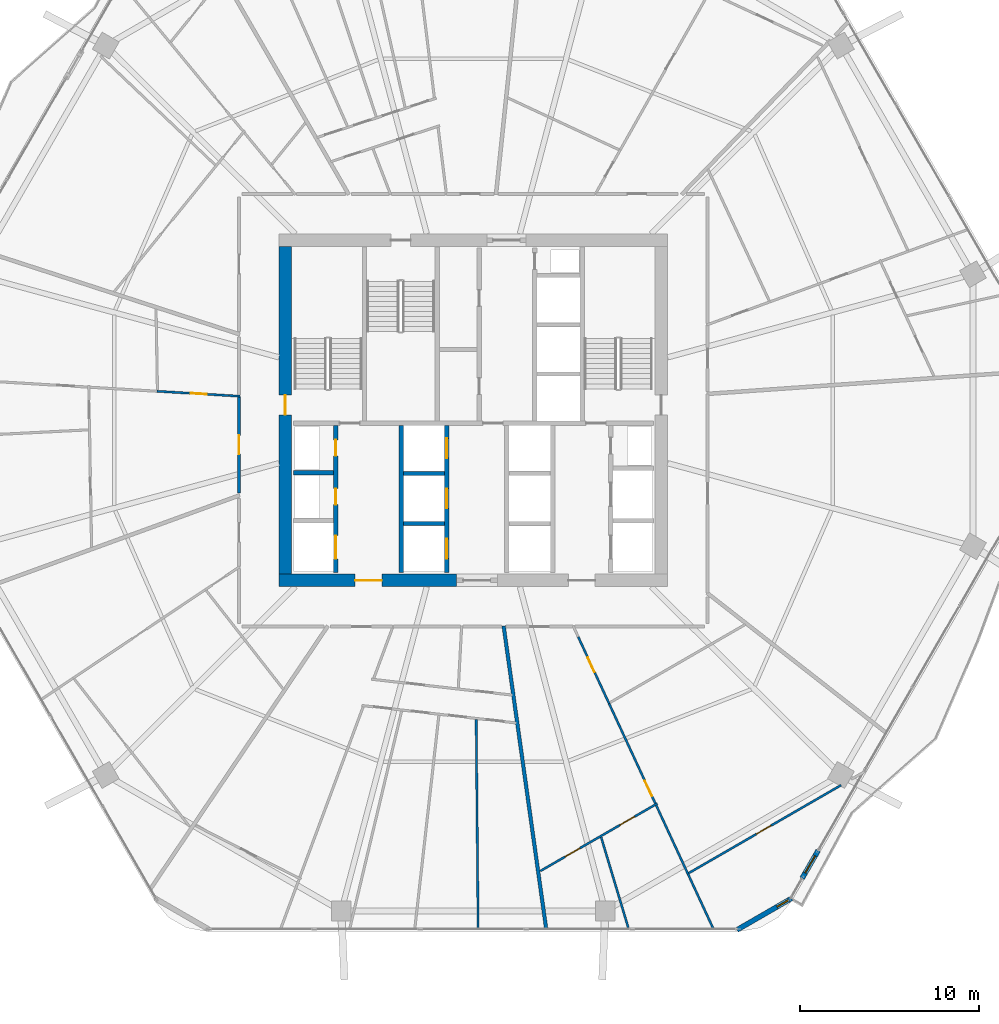
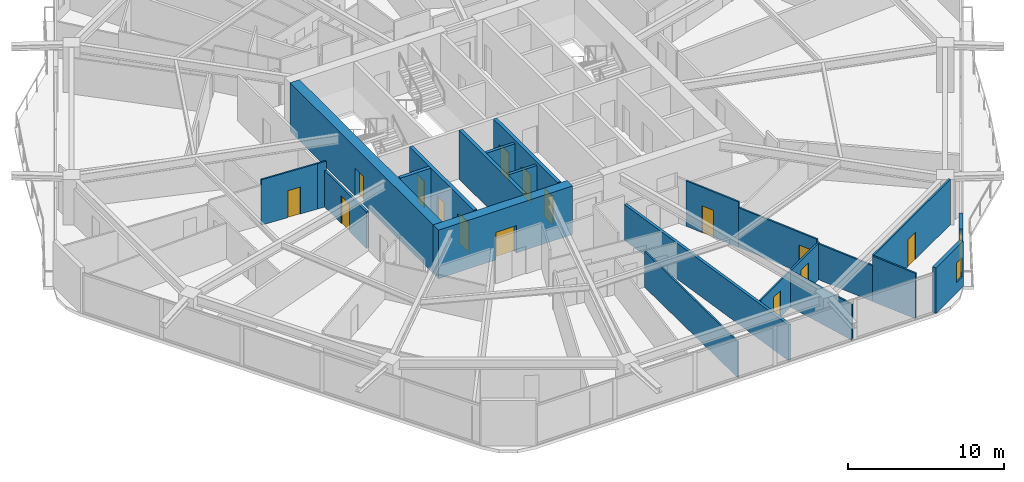
# One storey, part 25 of 33: 22 walls, 16 doors, 1 window, 17 openings.
"""IFC4 building model written with IfcOpenShell, lengths in metres."""

import ifcopenshell
import ifcopenshell.guid

model = None  # the IFC model being written
_history = None  # IfcOwnerHistory: only IFC2X3 demands one
_inside = {}  # id of a spatial element -> (the spatial element, [elements in it])
_under = {}  # id of a project, library or spatial element -> (it, [spatial elements below it])
_declared = {}  # id of a project -> (the project, [libraries it declares])
_typed = {}  # id of a type object -> (the type object, [elements of that type])
_made_of = {}  # id of a material, layer set ... -> (it, [elements and type objects made of it])


def new_model(schema):
    """Start an empty IFC model of exactly this schema.

    Asked for "IFC4X3", IfcOpenShell would pick the latest addendum, in which some entities
    have other attributes; the version numbers below select the first issue.
    IFC2X3 requires an IfcOwnerHistory on every rooted entity: one is made here for all.
    """
    global model, _history
    if schema == "IFC4X3":
        model = ifcopenshell.file(schema_version=(4, 3, 0, 0))
    else:
        model = ifcopenshell.file(schema=schema)
    _inside.clear()
    _under.clear()
    _declared.clear()
    _typed.clear()
    _made_of.clear()
    _history = None
    if model.schema == "IFC2X3":
        org = make("IfcOrganization", Name="unknown")
        user = make(
            "IfcPersonAndOrganization",
            ThePerson=make("IfcPerson", FamilyName="unknown"),
            TheOrganization=org,
        )
        app = make(
            "IfcApplication",
            ApplicationDeveloper=org,
            Version="unknown",
            ApplicationFullName="unknown",
            ApplicationIdentifier="unknown",
        )
        _history = make(
            "IfcOwnerHistory",
            OwningUser=user,
            OwningApplication=app,
            ChangeAction="ADDED",
            CreationDate=0,
        )
    return model


def make(cls, **values):
    """One entity of the class cls with the attributes given. An attribute that is None is left unset."""
    return model.create_entity(
        cls, **{name: value for name, value in values.items() if value is not None}
    )


def rooted(cls, **values):
    """An entity with a GlobalId (a new one), such as an element, a storey or a relation."""
    return make(cls, GlobalId=ifcopenshell.guid.new(), OwnerHistory=_history, **values)


def si_unit(unit_type, name, prefix=None):
    """IfcSIUnit, for example si_unit("LENGTHUNIT", "METRE", prefix="MILLI")."""
    return make("IfcSIUnit", UnitType=unit_type, Prefix=prefix, Name=name)


def assignment(units):
    """IfcUnitAssignment: the units of a project."""
    return None if units is None else make("IfcUnitAssignment", Units=units)


def point(xyz):
    """IfcCartesianPoint."""
    return None if xyz is None else make("IfcCartesianPoint", Coordinates=xyz)


def direction(xyz):
    """IfcDirection."""
    return None if xyz is None else make("IfcDirection", DirectionRatios=xyz)


def frame(location, z_axis=None, x_axis=None):
    """IfcAxis2Placement3D, a coordinate frame: its origin and axes. An axis left out is left unset."""
    return make(
        "IfcAxis2Placement3D",
        Location=point(location),
        Axis=direction(z_axis),
        RefDirection=direction(x_axis),
    )


def frame_2d(location, x_axis=None):
    """IfcAxis2Placement2D, a coordinate frame in the plane: its origin and x axis."""
    return make(
        "IfcAxis2Placement2D", Location=point(location), RefDirection=direction(x_axis)
    )


def origin():
    """The frame at (0, 0, 0) with its axes left unset."""
    return frame((0.0, 0.0, 0.0))


def place(relative_to, where):
    """IfcLocalPlacement: puts the frame where relative to a parent placement (None: the world)."""
    return make(
        "IfcLocalPlacement", PlacementRelTo=relative_to, RelativePlacement=where
    )


def context(
    kind, dimensions, precision=None, world=None, true_north=None, identifier=None
):
    """IfcGeometricRepresentationContext, for example the 3D "Model" context."""
    return make(
        "IfcGeometricRepresentationContext",
        ContextIdentifier=identifier,
        ContextType=kind,
        CoordinateSpaceDimension=dimensions,
        Precision=precision,
        WorldCoordinateSystem=world,
        TrueNorth=true_north,
    )


def subcontext(parent, identifier, kind, view, scale=None):
    """IfcGeometricRepresentationSubContext, for example "Body" below "Model"."""
    return make(
        "IfcGeometricRepresentationSubContext",
        ContextIdentifier=identifier,
        ContextType=kind,
        ParentContext=parent,
        TargetScale=scale,
        TargetView=view,
    )


def project(units=None, contexts=None):
    """IfcProject with its units and contexts."""
    return rooted(
        "IfcProject",
        Name="project",
        RepresentationContexts=contexts,
        UnitsInContext=assignment(units),
    )


def spatial(cls, under=None, at=None, **own):
    """A site, building, storey or space (cls), placed at a placement, below another one or the project."""
    s = rooted(cls, ObjectPlacement=at, **own)
    if under is not None:
        _under.setdefault(under.id(), (under, []))[1].append(s)
    return s


def profile(cls, at=None, kind="AREA", **sizes):
    """A parametric profile (cls). Its sizes go by their IFC names, for example OverallWidth=200.0."""
    return make(cls, ProfileType=kind, Position=at, **sizes)


def rectangle(**sizes):
    """IfcRectangleProfileDef."""
    return profile("IfcRectangleProfileDef", **sizes)


def extrude(swept, where, along, depth):
    """IfcExtrudedAreaSolid: the profile swept, set in the frame where, extruded along a direction by depth."""
    return make(
        "IfcExtrudedAreaSolid",
        SweptArea=swept,
        Position=where,
        ExtrudedDirection=direction(along),
        Depth=depth,
    )


def shape(context_of_items, identifier, shape_type, items):
    """IfcShapeRepresentation: the items that make up one representation, for example the "Body"."""
    return make(
        "IfcShapeRepresentation",
        ContextOfItems=context_of_items,
        RepresentationIdentifier=identifier,
        RepresentationType=shape_type,
        Items=items,
    )


def material(Name=None, Category=None):
    """IfcMaterial."""
    return make("IfcMaterial", Name=Name, Category=Category)


def layer(
    of_material, thickness, ventilated=None, Name=None, Category=None, Priority=None
):
    """IfcMaterialLayer: one layer of a wall or slab, of a material (None: an air gap)."""
    return make(
        "IfcMaterialLayer",
        Material=of_material,
        LayerThickness=thickness,
        IsVentilated=ventilated,
        Name=Name,
        Category=Category,
        Priority=Priority,
    )


def layer_set(layers, Name=None):
    """IfcMaterialLayerSet."""
    return make("IfcMaterialLayerSet", MaterialLayers=layers, LayerSetName=Name)


def made_of(thing, what):
    """Note that an element or type object is made of a material, layer set ...; save() writes the relation."""
    if what is not None:
        _made_of.setdefault(what.id(), (what, []))[1].append(thing)
    return thing


def type_object(cls, material=None, **own):
    """A type object (cls), such as IfcWallType, which elements share."""
    return made_of(rooted(cls, **own), material)


def element(
    cls,
    number,
    at=None,
    inside=None,
    cuts=None,
    type_object=None,
    material=None,
    context=None,
    identifier="Body",
    shape_type=None,
    held_by="IfcProductDefinitionShape",
    body=None,
    shapes=None,
    **own,
):
    """One element of the class cls, such as IfcWall. Its Tag is "e" and its number.

    at: its placement. inside: the storey or other place that contains it. cuts: it is an
    opening in that element (IfcRelVoidsElement). A single representation is given by context,
    identifier, shape_type and body (its items); several are given by shapes. held_by: the class
    of the entity that holds the representations. save() writes the other relations.
    """
    e = rooted(cls, Tag="e%d" % number, ObjectPlacement=at, **own)
    if body is not None:
        shapes = [shape(context, identifier, shape_type, body)]
    if shapes is not None:
        e.Representation = make(held_by, Representations=shapes)
    if inside is not None:
        _inside.setdefault(inside.id(), (inside, []))[1].append(e)
    if cuts is not None:
        rooted(
            "IfcRelVoidsElement", RelatingBuildingElement=cuts, RelatedOpeningElement=e
        )
    if type_object is not None:
        _typed.setdefault(type_object.id(), (type_object, []))[1].append(e)
    return made_of(e, material)


def fill(opening, filler):
    """IfcRelFillsElement: the door or window that sits in an opening."""
    return rooted(
        "IfcRelFillsElement",
        RelatingOpeningElement=opening,
        RelatedBuildingElement=filler,
    )


def aggregate(whole, parts):
    """IfcRelAggregates: a whole, such as a stair, and the parts it consists of."""
    return rooted("IfcRelAggregates", RelatingObject=whole, RelatedObjects=parts)


def save(model, path):
    """Write the relations noted so far, then the file.

    IfcRelAggregates (storeys below a building ...), IfcRelContainedInSpatialStructure (elements
    in a storey), IfcRelDefinesByType, IfcRelAssociatesMaterial and IfcRelDeclares: one each for
    every whole, place, type object, material and project.
    """
    for whole, parts in _under.values():
        aggregate(whole, parts)
    for where, things in _inside.values():
        rooted(
            "IfcRelContainedInSpatialStructure",
            RelatedElements=things,
            RelatingStructure=where,
        )
    for kind, things in _typed.values():
        rooted("IfcRelDefinesByType", RelatedObjects=things, RelatingType=kind)
    for what, things in _made_of.values():
        rooted("IfcRelAssociatesMaterial", RelatedObjects=things, RelatingMaterial=what)
    for by, libraries in _declared.values():
        rooted("IfcRelDeclares", RelatingContext=by, RelatedDefinitions=libraries)
    model.write(path)


model = new_model("IFC4")

# Units and contexts
model_context = context("Model", 3, precision=1e-05, world=origin(), true_north=direction((0.0, 1.0)))
body_context = subcontext(model_context, "Body", "Model", "MODEL_VIEW")
ifc_project = project(units=[si_unit("LENGTHUNIT", "METRE"), si_unit("AREAUNIT", "SQUARE_METRE"), si_unit("VOLUMEUNIT", "CUBIC_METRE"), si_unit("PLANEANGLEUNIT", "RADIAN"), si_unit("MASSUNIT", "GRAM", prefix="KILO")], contexts=[model_context])

# Site, building, storey
site_placement = place(None, origin())
site = spatial("IfcSite", under=ifc_project, at=site_placement, CompositionType="ELEMENT")
building_placement = place(site_placement, origin())
building = spatial("IfcBuilding", under=site, at=building_placement, Name="Zuhravey Tower", CompositionType="ELEMENT")
storey_placement = place(building_placement, frame((0.0, 0.0, 96.199951171875)))
storey = spatial("IfcBuildingStorey", under=building, at=storey_placement, Name="L23", CompositionType="ELEMENT", Elevation=96.199951171875)

# Wall, opening, door
ifc_material_1 = material(Name="Concrete C60/75", Category="concrete")
ifc_layer_1 = layer(ifc_material_1, 0.699951171875)
ifc_layer_set_1 = layer_set([ifc_layer_1], Name="Concrete C60/75")
wall_type_1 = type_object("IfcWallType", Name="Core Shear Wall 700", PredefinedType="SHEAR", material=ifc_layer_set_1)
wall_1_placement = place(storey_placement, frame((25.14990234375, 22.5, 0.0), z_axis=(0.0, 0.0, 1.0), x_axis=(1.0, 0.0, 0.0)))
wall_1 = element("IfcWall", 1, at=wall_1_placement, inside=storey, type_object=wall_type_1, Name="L23 South-West Core Shear Wall CW70", PredefinedType="SHEAR", context=body_context, shape_type="SweptSolid", body=[
    extrude(rectangle(XDim=9.900146484375, YDim=0.699951171875, at=frame_2d((4.9501953125, 0.0))), origin(), (0.0, 0.0, 1.0), 3.800048828125),
])
opening_1_placement = place(wall_1_placement, frame((4.25, 0.0, 0.0)))
opening_1 = element("IfcOpeningElement", 2, at=opening_1_placement, cuts=wall_1, Name="Opening FFD1", PredefinedType="OPENING", context=body_context, shape_type="SweptSolid", body=[
    extrude(rectangle(XDim=1.5, YDim=2.14990234375, at=frame_2d((0.75, 1.074951171875))), frame((0.0, 0.362060546875, 0.0), z_axis=(0.0, -1.0, 0.0), x_axis=(1.0, 0.0, 0.0)), (0.0, 0.0, 1.0), 0.723876953125),
])
ifc_material_2 = material(Name="Galvanised fire-rated steel leaf", Category="steel")
door_type_1 = type_object("IfcDoorType", Name="Firefighting Lobby Double Door 1500x2150", OperationType="DOUBLE_DOOR_SINGLE_SWING", PredefinedType="DOOR", material=ifc_material_2)
door_1_placement = place(opening_1_placement, origin())
door_1 = element("IfcDoor", 3, at=door_1_placement, inside=storey, type_object=door_type_1, Name="L23 Firefighting Lobby West Door", OperationType="DOUBLE_DOOR_SINGLE_SWING", OverallHeight=2.14990234375, OverallWidth=1.5, PredefinedType="DOOR", context=body_context, shape_type="SweptSolid", body=[
    extrude(rectangle(XDim=1.5, YDim=2.14990234375, at=frame_2d((0.75, 1.074951171875))), frame((0.0, 0.02490234375, 0.0), z_axis=(0.0, -1.0, 0.0), x_axis=(1.0, 0.0, 0.0)), (0.0, 0.0, 1.0), 0.050048828125),
])
fill(opening_1, door_1)

wall_2_placement = place(storey_placement, frame((25.5, 22.85009765625, 0.0), z_axis=(0.0, 0.0, 1.0), x_axis=(0.0, 1.0, 0.0)))
wall_2 = element("IfcWall", 4, at=wall_2_placement, inside=storey, type_object=wall_type_1, Name="L23 West Core Shear Wall CW70", PredefinedType="SHEAR", context=body_context, shape_type="SweptSolid", body=[
    extrude(rectangle(XDim=18.2998046875, YDim=0.699951171875, at=frame_2d((9.14990234375, 0.0))), origin(), (0.0, 0.0, 1.0), 3.800048828125),
])
opening_2_placement = place(wall_2_placement, frame((8.89990234375, 0.0, 0.0)))
opening_2 = element("IfcOpeningElement", 5, at=opening_2_placement, cuts=wall_2, Name="Opening STD1", PredefinedType="OPENING", context=body_context, shape_type="SweptSolid", body=[
    extrude(rectangle(XDim=1.10009765625, YDim=2.14990234375, at=frame_2d((0.550048828125, 1.074951171875))), frame((0.0, 0.362060546875, 0.0), z_axis=(0.0, -1.0, 0.0), x_axis=(1.0, 0.0, 0.0)), (0.0, 0.0, 1.0), 0.723876953125),
])
door_type_2 = type_object("IfcDoorType", Name="Protected Stair Fire Door 1100x2150", OperationType="NOTDEFINED", PredefinedType="USERDEFINED", material=ifc_material_2)
door_2_placement = place(opening_2_placement, frame((1.10009765625, 0.0, 0.0), z_axis=(0.0, 0.0, 1.0), x_axis=(-1.0, 0.0, 0.0)))
door_2 = element("IfcDoor", 6, at=door_2_placement, inside=storey, type_object=door_type_2, Name="L23 Stair ST1 Door", ObjectType="EXITDOOR", OperationType="SINGLE_SWING_RIGHT", OverallHeight=2.14990234375, OverallWidth=1.10009765625, PredefinedType="USERDEFINED", context=body_context, shape_type="SweptSolid", body=[
    extrude(rectangle(XDim=1.10009765625, YDim=2.14990234375, at=frame_2d((0.550048828125, 1.074951171875))), frame((0.0, 0.02490234375, 0.0), z_axis=(0.0, -1.0, 0.0), x_axis=(1.0, 0.0, 0.0)), (0.0, 0.0, 1.0), 0.050048828125),
])
fill(opening_2, door_2)

ifc_material_3 = material(Name="Gypsum fire-rated stud partition")
ifc_layer_2 = layer(ifc_material_3, 0.159912109375)
ifc_layer_set_2 = layer_set([ifc_layer_2], Name="Gypsum fire-rated stud partition")
wall_type_2 = type_object("IfcWallType", Name="Corridor Fire Partition 160", PredefinedType="PARTITIONING", material=ifc_layer_set_2)
wall_3_placement = place(storey_placement, frame((22.919921875, 32.76611328125, 0.0), z_axis=(0.0, 0.0, 1.0), x_axis=(0.0, -1.0, 0.0)))
wall_3 = element("IfcWall", 7, at=wall_3_placement, inside=storey, type_object=wall_type_2, Name="L23 IW16 Partition 046", PredefinedType="PARTITIONING", context=body_context, shape_type="SweptSolid", body=[
    extrude(rectangle(XDim=5.376708984375, YDim=0.159912109375, at=frame_2d((2.6884765625, 0.0))), origin(), (0.0, 0.0, 1.0), 2.85009765625),
])
opening_3_placement = place(wall_3_placement, frame((2.163330078125, 0.0, 0.0)))
opening_3 = element("IfcOpeningElement", 8, at=opening_3_placement, cuts=wall_3, Name="Opening APD1", PredefinedType="OPENING", context=body_context, shape_type="SweptSolid", body=[
    extrude(rectangle(XDim=1.050048828125, YDim=2.14990234375, at=frame_2d((0.52490234375, 1.074951171875))), frame((0.0, 0.092041015625, 0.0), z_axis=(0.0, -1.0, 0.0), x_axis=(1.0, 0.0, 0.0)), (0.0, 0.0, 1.0), 0.183837890625),
])
ifc_material_4 = material(Name="Solid-core oak fire-rated leaf")
door_type_3 = type_object("IfcDoorType", Name="Apartment Entrance Fire Door 1050x2150", OperationType="NOTDEFINED", PredefinedType="DOOR", material=ifc_material_4)
door_3_placement = place(opening_3_placement, frame((1.050048828125, 0.0, 0.0), z_axis=(0.0, 0.0, 1.0), x_axis=(-1.0, 0.0, 0.0)))
door_3 = element("IfcDoor", 9, at=door_3_placement, inside=storey, type_object=door_type_3, Name="L23 Door 046.1", OperationType="SINGLE_SWING_RIGHT", OverallHeight=2.14990234375, OverallWidth=1.050048828125, PredefinedType="DOOR", context=body_context, shape_type="SweptSolid", body=[
    extrude(rectangle(XDim=1.050048828125, YDim=2.14990234375, at=frame_2d((0.52490234375, 1.074951171875))), frame((0.0, 0.02490234375, 0.0), z_axis=(0.0, -1.0, 0.0), x_axis=(1.0, 0.0, 0.0)), (0.0, 0.0, 1.0), 0.050048828125),
])
fill(opening_3, door_3)

ifc_material_5 = material(Name="Precast concrete C40/50", Category="concrete")
ifc_layer_3 = layer(ifc_material_5, 0.280029296875)
ifc_layer_set_3 = layer_set([ifc_layer_3], Name="Precast concrete C40/50")
wall_type_3 = type_object("IfcWallType", Name="Crown Architectural Wall 280", PredefinedType="SOLIDWALL", material=ifc_layer_set_3)
wall_4_placement = place(storey_placement, frame((55.248779296875, 7.423095703125, 0.0), z_axis=(0.0, 0.0, 1.0), x_axis=(-0.49987987985, -0.866094744079, 0.0)))
wall_4 = element("IfcWall", 10, at=wall_4_placement, inside=storey, type_object=wall_type_3, Name="L23 Face 6 Facade Pier EW28-1", PredefinedType="SOLIDWALL", context=body_context, shape_type="SweptSolid", body=[
    extrude(rectangle(XDim=1.7900390625, YDim=0.280029296875, at=frame_2d((0.89501953125, 0.0))), origin(), (0.0, 0.0, 1.0), 3.550048828125),
])
opening_4_placement = place(wall_4_placement, frame((0.344970703125, 0.0, 0.0)))
opening_4 = element("IfcOpeningElement", 11, at=opening_4_placement, cuts=wall_4, Name="Opening BLD1", PredefinedType="OPENING", context=body_context, shape_type="SweptSolid", body=[
    extrude(rectangle(XDim=1.10009765625, YDim=2.199951171875, at=frame_2d((0.550048828125, 1.10009765625))), frame((0.0, 0.152099609375, 0.0), z_axis=(0.0, -1.0, 0.0), x_axis=(1.0, 0.0, 0.0)), (0.0, 0.0, 1.0), 0.303955078125),
])
ifc_material_6 = material(Name="Thermally broken aluminium and low-E glass", Category="aluminium")
door_type_4 = type_object("IfcDoorType", Name="Balcony & Sky-Tray Glazed Door 1100x2200", OperationType="NOTDEFINED", PredefinedType="DOOR", material=ifc_material_6)
door_4_placement = place(opening_4_placement, frame((1.10009765625, 0.0, 0.0), z_axis=(0.0, 0.0, 1.0), x_axis=(-1.0, 0.0, 0.0)))
door_4 = element("IfcDoor", 12, at=door_4_placement, inside=storey, type_object=door_type_4, Name="L23 Face 6 Wave Balcony Door", OperationType="SINGLE_SWING_LEFT", OverallHeight=2.199951171875, OverallWidth=1.10009765625, PredefinedType="DOOR", context=body_context, shape_type="SweptSolid", body=[
    extrude(rectangle(XDim=1.10009765625, YDim=2.199951171875, at=frame_2d((0.550048828125, 1.10009765625))), frame((0.0, 0.02490234375, 0.0), z_axis=(0.0, -1.0, 0.0), x_axis=(1.0, 0.0, 0.0)), (0.0, 0.0, 1.0), 0.050048828125),
])
fill(opening_4, door_4)

# Wall, opening, window
wall_5_placement = place(storey_placement, frame((53.76123046875, 4.75146484375, 0.0), z_axis=(0.0, 0.0, 1.0), x_axis=(-0.866007452331, -0.500031091541, 0.0)))
wall_5 = element("IfcWall", 13, at=wall_5_placement, inside=storey, type_object=wall_type_3, Name="L23 Rounded Corner Closure Wall EW28-02", PredefinedType="SOLIDWALL", context=body_context, shape_type="SweptSolid", body=[
    extrude(rectangle(XDim=3.514892578125, YDim=0.280029296875, at=frame_2d((1.75732421875, 0.0))), origin(), (0.0, 0.0, 1.0), 3.550048828125),
])
opening_5_placement = place(wall_5_placement, frame((0.18212890625, 0.0, 0.85009765625)))
opening_5 = element("IfcOpeningElement", 14, at=opening_5_placement, cuts=wall_5, Name="Opening WN5", PredefinedType="OPENING", context=body_context, shape_type="SweptSolid", body=[
    extrude(rectangle(XDim=0.75, YDim=1.5, at=frame_2d((0.375, 0.75))), frame((0.0, 0.152099609375, 0.0), z_axis=(0.0, -1.0, 0.0), x_axis=(1.0, 0.0, 0.0)), (0.0, 0.0, 1.0), 0.303955078125),
])
ifc_material_7 = material(Name="Thermally broken aluminium and triple low-E glass", Category="aluminium")
window_type = type_object("IfcWindowType", Name="Residential Corner Casement Window 750x1500", PartitioningType="SINGLE_PANEL", PredefinedType="WINDOW", material=ifc_material_7)
window_placement = place(opening_5_placement, origin())
window = element("IfcWindow", 15, at=window_placement, inside=storey, type_object=window_type, Name="L23 Corner Casement Window WN5-02.1", OverallHeight=1.5, OverallWidth=0.75, PartitioningType="SINGLE_PANEL", PredefinedType="WINDOW", context=body_context, shape_type="SweptSolid", body=[
    extrude(rectangle(XDim=0.75, YDim=1.5, at=frame_2d((0.375, 0.75))), frame((0.0, 0.030029296875, 0.0), z_axis=(0.0, -1.0, 0.0), x_axis=(1.0, 0.0, 0.0)), (0.0, 0.0, 1.0), 0.06005859375),
])
fill(opening_5, window)

# Wall
ifc_material_8 = material(Name="Concrete C50/60", Category="concrete")
ifc_layer_4 = layer(ifc_material_8, 0.25)
ifc_layer_set_4 = layer_set([ifc_layer_4], Name="Concrete C50/60")
wall_type_4 = type_object("IfcWallType", Name="Firefighting Shaft & Stair Wall 250", PredefinedType="SOLIDWALL", material=ifc_layer_set_4)
wall_6_placement = place(storey_placement, frame((25.949951171875, 28.52490234375, 0.0), z_axis=(0.0, 0.0, 1.0), x_axis=(1.0, 0.0, 0.0)))
element("IfcWall", 16, at=wall_6_placement, inside=storey, type_object=wall_type_4, Name="L23 FW25 Shaft Wall 010", PredefinedType="SOLIDWALL", context=body_context, shape_type="SweptSolid", body=[
    extrude(rectangle(XDim=2.25, YDim=0.25, at=frame_2d((1.125, 0.0))), origin(), (0.0, 0.0, 1.0), 3.800048828125),
])

# Wall, openings, doors
wall_7_placement = place(storey_placement, frame((28.324951171875, 22.949951171875, 0.0), z_axis=(0.0, 0.0, 1.0), x_axis=(0.0, 1.0, 0.0)))
wall_7 = element("IfcWall", 17, at=wall_7_placement, inside=storey, type_object=wall_type_4, Name="L23 FW25 Shaft Wall 011", PredefinedType="SOLIDWALL", context=body_context, shape_type="SweptSolid", body=[
    extrude(rectangle(XDim=8.199951171875, YDim=0.25, at=frame_2d((4.10009765625, 0.0))), origin(), (0.0, 0.0, 1.0), 3.800048828125),
])
opening_6_placement = place(wall_7_placement, frame((0.75, 0.0, 0.0)))
opening_6 = element("IfcOpeningElement", 18, at=opening_6_placement, cuts=wall_7, Name="Opening LD2", PredefinedType="OPENING", context=body_context, shape_type="SweptSolid", body=[
    extrude(rectangle(XDim=1.300048828125, YDim=2.300048828125, at=frame_2d((0.64990234375, 1.14990234375))), frame((0.0, 0.136962890625, 0.0), z_axis=(0.0, -1.0, 0.0), x_axis=(1.0, 0.0, 0.0)), (0.0, 0.0, 1.0), 0.27392578125),
])
opening_7_placement = place(wall_7_placement, frame((3.780029296875, 0.0, 0.0)))
opening_7 = element("IfcOpeningElement", 19, at=opening_7_placement, cuts=wall_7, Name="Opening RSD1", PredefinedType="OPENING", context=body_context, shape_type="SweptSolid", body=[
    extrude(rectangle(XDim=0.89990234375, YDim=2.10009765625, at=frame_2d((0.449951171875, 1.050048828125))), frame((0.0, 0.136962890625, 0.0), z_axis=(0.0, -1.0, 0.0), x_axis=(1.0, 0.0, 0.0)), (0.0, 0.0, 1.0), 0.27392578125),
])
opening_8_placement = place(wall_7_placement, frame((6.5, 0.0, 0.0)))
opening_8 = element("IfcOpeningElement", 20, at=opening_8_placement, cuts=wall_7, Name="Opening RSD1", PredefinedType="OPENING", context=body_context, shape_type="SweptSolid", body=[
    extrude(rectangle(XDim=0.89990234375, YDim=2.10009765625, at=frame_2d((0.449951171875, 1.050048828125))), frame((0.0, 0.136962890625, 0.0), z_axis=(0.0, -1.0, 0.0), x_axis=(1.0, 0.0, 0.0)), (0.0, 0.0, 1.0), 0.27392578125),
])
ifc_material_9 = material(Name="Brushed stainless steel", Category="steel")
door_type_5 = type_object("IfcDoorType", Name="Freight & Stretcher Lift Sliding Door 1300x2300", OperationType="DOUBLE_DOOR_SLIDING", PredefinedType="DOOR", material=ifc_material_9)
door_5_placement = place(opening_6_placement, frame((1.300048828125, 0.0, 0.0), z_axis=(0.0, 0.0, 1.0), x_axis=(-1.0, 0.0, 0.0)))
door_5 = element("IfcDoor", 21, at=door_5_placement, inside=storey, type_object=door_type_5, Name="L23 Lift FF1 Landing Door", OperationType="DOUBLE_DOOR_SLIDING", OverallHeight=2.300048828125, OverallWidth=1.300048828125, PredefinedType="DOOR", context=body_context, shape_type="SweptSolid", body=[
    extrude(rectangle(XDim=1.300048828125, YDim=2.300048828125, at=frame_2d((0.64990234375, 1.14990234375))), frame((0.0, 0.02490234375, 0.0), z_axis=(0.0, -1.0, 0.0), x_axis=(1.0, 0.0, 0.0)), (0.0, 0.0, 1.0), 0.050048828125),
])
fill(opening_6, door_5)
ifc_material_10 = material(Name="Galvanised fire-rated steel access leaf", Category="steel")
door_type_6 = type_object("IfcDoorType", Name="Riser & Shaft Access Fire Door 900x2100", OperationType="NOTDEFINED", PredefinedType="DOOR", material=ifc_material_10)
door_6_placement = place(opening_7_placement, frame((0.89990234375, 0.0, 0.0), z_axis=(0.0, 0.0, 1.0), x_axis=(-1.0, 0.0, 0.0)))
door_6 = element("IfcDoor", 22, at=door_6_placement, inside=storey, type_object=door_type_6, Name="L23 Electrical Riser Door", OperationType="SINGLE_SWING_LEFT", OverallHeight=2.10009765625, OverallWidth=0.89990234375, PredefinedType="DOOR", context=body_context, shape_type="SweptSolid", body=[
    extrude(rectangle(XDim=0.89990234375, YDim=2.10009765625, at=frame_2d((0.449951171875, 1.050048828125))), frame((0.0, 0.02490234375, 0.0), z_axis=(0.0, -1.0, 0.0), x_axis=(1.0, 0.0, 0.0)), (0.0, 0.0, 1.0), 0.050048828125),
])
fill(opening_7, door_6)
door_7_placement = place(opening_8_placement, frame((0.89990234375, 0.0, 0.0), z_axis=(0.0, 0.0, 1.0), x_axis=(-1.0, 0.0, 0.0)))
door_7 = element("IfcDoor", 23, at=door_7_placement, inside=storey, type_object=door_type_6, Name="L23 Smoke Shaft Access Door", OperationType="SINGLE_SWING_RIGHT", OverallHeight=2.10009765625, OverallWidth=0.89990234375, PredefinedType="DOOR", context=body_context, shape_type="SweptSolid", body=[
    extrude(rectangle(XDim=0.89990234375, YDim=2.10009765625, at=frame_2d((0.449951171875, 1.050048828125))), frame((0.0, 0.02490234375, 0.0), z_axis=(0.0, -1.0, 0.0), x_axis=(1.0, 0.0, 0.0)), (0.0, 0.0, 1.0), 0.050048828125),
])
fill(opening_8, door_7)

# Wall
wall_8_placement = place(storey_placement, frame((31.97509765625, 22.949951171875, 0.0), z_axis=(0.0, 0.0, 1.0), x_axis=(0.0, 1.0, 0.0)))
element("IfcWall", 24, at=wall_8_placement, inside=storey, type_object=wall_type_4, Name="L23 FW25 Shaft Wall 012", PredefinedType="SOLIDWALL", context=body_context, shape_type="SweptSolid", body=[
    extrude(rectangle(XDim=8.199951171875, YDim=0.25, at=frame_2d((4.10009765625, 0.0))), origin(), (0.0, 0.0, 1.0), 3.800048828125),
])

# Wall, openings, doors
wall_9_placement = place(storey_placement, frame((34.52490234375, 22.949951171875, 0.0), z_axis=(0.0, 0.0, 1.0), x_axis=(0.0, 1.0, 0.0)))
wall_9 = element("IfcWall", 25, at=wall_9_placement, inside=storey, type_object=wall_type_4, Name="L23 FW25 Shaft Wall 013", PredefinedType="SOLIDWALL", context=body_context, shape_type="SweptSolid", body=[
    extrude(rectangle(XDim=8.199951171875, YDim=0.25, at=frame_2d((4.10009765625, 0.0))), origin(), (0.0, 0.0, 1.0), 3.800048828125),
])
opening_9_placement = place(wall_9_placement, frame((0.77490234375, 0.0, 0.0)))
opening_9 = element("IfcOpeningElement", 26, at=opening_9_placement, cuts=wall_9, Name="Opening LD1", PredefinedType="OPENING", context=body_context, shape_type="SweptSolid", body=[
    extrude(rectangle(XDim=1.10009765625, YDim=2.199951171875, at=frame_2d((0.550048828125, 1.10009765625))), frame((0.0, 0.136962890625, 0.0), z_axis=(0.0, -1.0, 0.0), x_axis=(1.0, 0.0, 0.0)), (0.0, 0.0, 1.0), 0.27392578125),
])
opening_10_placement = place(wall_9_placement, frame((3.574951171875, 0.0, 0.0)))
opening_10 = element("IfcOpeningElement", 27, at=opening_10_placement, cuts=wall_9, Name="Opening LD1", PredefinedType="OPENING", context=body_context, shape_type="SweptSolid", body=[
    extrude(rectangle(XDim=1.10009765625, YDim=2.199951171875, at=frame_2d((0.550048828125, 1.10009765625))), frame((0.0, 0.136962890625, 0.0), z_axis=(0.0, -1.0, 0.0), x_axis=(1.0, 0.0, 0.0)), (0.0, 0.0, 1.0), 0.27392578125),
])
opening_11_placement = place(wall_9_placement, frame((6.375, 0.0, 0.0)))
opening_11 = element("IfcOpeningElement", 28, at=opening_11_placement, cuts=wall_9, Name="Opening LD1", PredefinedType="OPENING", context=body_context, shape_type="SweptSolid", body=[
    extrude(rectangle(XDim=1.10009765625, YDim=2.199951171875, at=frame_2d((0.550048828125, 1.10009765625))), frame((0.0, 0.136962890625, 0.0), z_axis=(0.0, -1.0, 0.0), x_axis=(1.0, 0.0, 0.0)), (0.0, 0.0, 1.0), 0.27392578125),
])
door_type_7 = type_object("IfcDoorType", Name="Lift Landing Sliding Door 1100x2200", OperationType="DOUBLE_DOOR_SLIDING", PredefinedType="DOOR", material=ifc_material_9)
door_8_placement = place(opening_9_placement, frame((1.10009765625, 0.0, 0.0), z_axis=(0.0, 0.0, 1.0), x_axis=(-1.0, 0.0, 0.0)))
door_8 = element("IfcDoor", 29, at=door_8_placement, inside=storey, type_object=door_type_7, Name="L23 Lift PL1 Landing Door", OperationType="DOUBLE_DOOR_SLIDING", OverallHeight=2.199951171875, OverallWidth=1.10009765625, PredefinedType="DOOR", context=body_context, shape_type="SweptSolid", body=[
    extrude(rectangle(XDim=1.10009765625, YDim=2.199951171875, at=frame_2d((0.550048828125, 1.10009765625))), frame((0.0, 0.02490234375, 0.0), z_axis=(0.0, -1.0, 0.0), x_axis=(1.0, 0.0, 0.0)), (0.0, 0.0, 1.0), 0.050048828125),
])
fill(opening_9, door_8)
door_9_placement = place(opening_10_placement, frame((1.10009765625, 0.0, 0.0), z_axis=(0.0, 0.0, 1.0), x_axis=(-1.0, 0.0, 0.0)))
door_9 = element("IfcDoor", 30, at=door_9_placement, inside=storey, type_object=door_type_7, Name="L23 Lift PL2 Landing Door", OperationType="DOUBLE_DOOR_SLIDING", OverallHeight=2.199951171875, OverallWidth=1.10009765625, PredefinedType="DOOR", context=body_context, shape_type="SweptSolid", body=[
    extrude(rectangle(XDim=1.10009765625, YDim=2.199951171875, at=frame_2d((0.550048828125, 1.10009765625))), frame((0.0, 0.02490234375, 0.0), z_axis=(0.0, -1.0, 0.0), x_axis=(1.0, 0.0, 0.0)), (0.0, 0.0, 1.0), 0.050048828125),
])
fill(opening_10, door_9)
door_10_placement = place(opening_11_placement, frame((1.10009765625, 0.0, 0.0), z_axis=(0.0, 0.0, 1.0), x_axis=(-1.0, 0.0, 0.0)))
door_10 = element("IfcDoor", 31, at=door_10_placement, inside=storey, type_object=door_type_7, Name="L23 Lift PL3 Landing Door", OperationType="DOUBLE_DOOR_SLIDING", OverallHeight=2.199951171875, OverallWidth=1.10009765625, PredefinedType="DOOR", context=body_context, shape_type="SweptSolid", body=[
    extrude(rectangle(XDim=1.10009765625, YDim=2.199951171875, at=frame_2d((0.550048828125, 1.10009765625))), frame((0.0, 0.02490234375, 0.0), z_axis=(0.0, -1.0, 0.0), x_axis=(1.0, 0.0, 0.0)), (0.0, 0.0, 1.0), 0.050048828125),
])
fill(opening_11, door_10)

# Walls
ifc_material_11 = material(Name="Gypsum double-stud party assembly")
ifc_layer_5 = layer(ifc_material_11, 0.199951171875)
ifc_layer_set_5 = layer_set([ifc_layer_5], Name="Gypsum double-stud party assembly")
wall_type_5 = type_object("IfcWallType", Name="Inter-Tenancy Party Wall 200", PredefinedType="PARTITIONING", material=ifc_layer_set_5)
wall_10_placement = place(storey_placement, frame((37.692138671875, 19.9599609375, 0.0), z_axis=(0.0, 0.0, 1.0), x_axis=(0.139170315648, -0.990268460188, 0.0)))
element("IfcWall", 32, at=wall_10_placement, inside=storey, type_object=wall_type_5, Name="L23 IW20 Partition 112", PredefinedType="PARTITIONING", context=body_context, shape_type="SweptSolid", body=[
    extrude(rectangle(XDim=17.084716796875, YDim=0.199951171875, at=frame_2d((8.54248046875, 0.0))), origin(), (0.0, 0.0, 1.0), 2.800048828125),
])
ifc_material_12 = material(Name="Gypsum acoustic stud assembly")
ifc_layer_6 = layer(ifc_material_12, 0.219970703125)
ifc_layer_set_6 = layer_set([ifc_layer_6], Name="Gypsum acoustic stud assembly")
wall_type_6 = type_object("IfcWallType", Name="School Acoustic Compartment Wall 220", PredefinedType="PARTITIONING", material=ifc_layer_set_6)
for number, where, z_axis, x_axis, name in (
    (33, (32.10791015625, 25.675048828125, 0.0), (0.0, 0.0, 1.0), (1.0, 0.0, 0.0), "L23 IW22 Partition 066"),
    (34, (32.10791015625, 28.47509765625, 0.0), (0.0, 0.0, 1.0), (1.0, 0.0, 0.0), "L23 IW22 Partition 067"),
):
    element("IfcWall", number, at=place(storey_placement, frame(where, z_axis=z_axis, x_axis=x_axis)), inside=storey, type_object=wall_type_6, Name=name, PredefinedType="PARTITIONING", context=body_context, shape_type="SweptSolid", body=[
        extrude(rectangle(XDim=2.2841796875, YDim=0.219970703125, at=frame_2d((1.14208984375, 0.0))), origin(), (0.0, 0.0, 1.0), 3.550048828125),
    ])

# Wall, opening, door
ifc_material_13 = material(Name="Gypsum metal-stud partition")
ifc_layer_7 = layer(ifc_material_13, 0.1201171875)
ifc_layer_set_7 = layer_set([ifc_layer_7], Name="Gypsum metal-stud partition")
wall_type_7 = type_object("IfcWallType", Name="Unit Internal Partition 120", PredefinedType="PARTITIONING", material=ifc_layer_set_7)
wall_11_placement = place(storey_placement, frame((22.35009765625, 32.820556640625, 0.0), z_axis=(0.0, 0.0, 1.0), x_axis=(-0.998200406844, 0.059966221967, 0.0)))
wall_11 = element("IfcWall", 35, at=wall_11_placement, inside=storey, type_object=wall_type_7, Name="L23 IW12 Partition 042", PredefinedType="PARTITIONING", context=body_context, shape_type="SweptSolid", body=[
    extrude(rectangle(XDim=4.014404296875, YDim=0.1201171875, at=frame_2d((2.00732421875, 0.0))), origin(), (0.0, 0.0, 1.0), 3.550048828125),
])
opening_12_placement = place(wall_11_placement, frame((1.236083984375, 0.0, 0.0)))
opening_12 = element("IfcOpeningElement", 36, at=opening_12_placement, cuts=wall_11, Name="Opening WCD1", PredefinedType="OPENING", context=body_context, shape_type="SweptSolid", body=[
    extrude(rectangle(XDim=0.89990234375, YDim=2.10009765625, at=frame_2d((0.449951171875, 1.050048828125))), frame((0.0, 0.072021484375, 0.0), z_axis=(0.0, -1.0, 0.0), x_axis=(1.0, 0.0, 0.0)), (0.0, 0.0, 1.0), 0.14404296875),
])
ifc_material_14 = material(Name="Moisture-resistant timber leaf", Category="wood")
door_type_8 = type_object("IfcDoorType", Name="Bathroom & WC Internal Door 900x2100", OperationType="NOTDEFINED", PredefinedType="DOOR", material=ifc_material_14)
door_11_placement = place(opening_12_placement, frame((0.89990234375, 0.0, 0.0), z_axis=(0.0, 0.0, 1.0), x_axis=(-1.0, 0.0, 0.0)))
door_11 = element("IfcDoor", 37, at=door_11_placement, inside=storey, type_object=door_type_8, Name="Apartment L23-05 Bathroom Door", OperationType="SINGLE_SWING_LEFT", OverallHeight=2.10009765625, OverallWidth=0.89990234375, PredefinedType="DOOR", context=body_context, shape_type="SweptSolid", body=[
    extrude(rectangle(XDim=0.89990234375, YDim=2.10009765625, at=frame_2d((0.449951171875, 1.050048828125))), frame((0.0, 0.02490234375, 0.0), z_axis=(0.0, -1.0, 0.0), x_axis=(1.0, 0.0, 0.0)), (0.0, 0.0, 1.0), 0.050048828125),
])
fill(opening_12, door_11)

# Wall, openings, doors
wall_12_placement = place(storey_placement, frame((39.74267578125, 6.281005859375, 0.0), z_axis=(0.0, 0.0, 1.0), x_axis=(0.866016234862, 0.500015880704, 0.0)))
wall_12 = element("IfcWall", 38, at=wall_12_placement, inside=storey, type_object=wall_type_7, Name="L23 IW12 Partition 055", PredefinedType="PARTITIONING", context=body_context, shape_type="SweptSolid", body=[
    extrude(rectangle(XDim=7.538330078125, YDim=0.1201171875, at=frame_2d((3.76904296875, 0.0))), origin(), (0.0, 0.0, 1.0), 2.85009765625),
])
opening_13_placement = place(wall_12_placement, frame((1.593505859375, 0.0, 0.0)))
opening_13 = element("IfcOpeningElement", 39, at=opening_13_placement, cuts=wall_12, Name="Opening IND1", PredefinedType="OPENING", context=body_context, shape_type="SweptSolid", body=[
    extrude(rectangle(XDim=0.949951171875, YDim=2.10009765625, at=frame_2d((0.47509765625, 1.050048828125))), frame((0.0, 0.072021484375, 0.0), z_axis=(0.0, -1.0, 0.0), x_axis=(1.0, 0.0, 0.0)), (0.0, 0.0, 1.0), 0.14404296875),
])
opening_14_placement = place(wall_12_placement, frame((5.11962890625, 0.0, 0.0)))
opening_14 = element("IfcOpeningElement", 40, at=opening_14_placement, cuts=wall_12, Name="Opening IND1", PredefinedType="OPENING", context=body_context, shape_type="SweptSolid", body=[
    extrude(rectangle(XDim=0.949951171875, YDim=2.10009765625, at=frame_2d((0.47509765625, 1.050048828125))), frame((0.0, 0.072021484375, 0.0), z_axis=(0.0, -1.0, 0.0), x_axis=(1.0, 0.0, 0.0)), (0.0, 0.0, 1.0), 0.14404296875),
])
ifc_material_15 = material(Name="Painted engineered timber leaf", Category="wood")
door_type_9 = type_object("IfcDoorType", Name="Internal Room & Bedroom Door 950x2100", OperationType="NOTDEFINED", PredefinedType="DOOR", material=ifc_material_15)
door_12_placement = place(opening_13_placement, frame((0.949951171875, 0.0, 0.0), z_axis=(0.0, 0.0, 1.0), x_axis=(-1.0, 0.0, 0.0)))
door_12 = element("IfcDoor", 41, at=door_12_placement, inside=storey, type_object=door_type_9, Name="Apartment L23-08 Family Study Door", OperationType="SINGLE_SWING_LEFT", OverallHeight=2.10009765625, OverallWidth=0.949951171875, PredefinedType="DOOR", context=body_context, shape_type="SweptSolid", body=[
    extrude(rectangle(XDim=0.949951171875, YDim=2.10009765625, at=frame_2d((0.47509765625, 1.050048828125))), frame((0.0, 0.02490234375, 0.0), z_axis=(0.0, -1.0, 0.0), x_axis=(1.0, 0.0, 0.0)), (0.0, 0.0, 1.0), 0.050048828125),
])
fill(opening_13, door_12)
door_13_placement = place(opening_14_placement, frame((0.949951171875, 0.0, 0.0), z_axis=(0.0, 0.0, 1.0), x_axis=(-1.0, 0.0, 0.0)))
door_13 = element("IfcDoor", 42, at=door_13_placement, inside=storey, type_object=door_type_9, Name="Apartment L23-08 Dining Room Door", OperationType="SINGLE_SWING_RIGHT", OverallHeight=2.10009765625, OverallWidth=0.949951171875, PredefinedType="DOOR", context=body_context, shape_type="SweptSolid", body=[
    extrude(rectangle(XDim=0.949951171875, YDim=2.10009765625, at=frame_2d((0.47509765625, 1.050048828125))), frame((0.0, 0.02490234375, 0.0), z_axis=(0.0, -1.0, 0.0), x_axis=(1.0, 0.0, 0.0)), (0.0, 0.0, 1.0), 0.050048828125),
])
fill(opening_14, door_13)

# Wall, opening, door
wall_13_placement = place(storey_placement, frame((41.855712890625, 19.35009765625, 0.0), z_axis=(0.0, 0.0, 1.0), x_axis=(0.420102705712, -0.907476565347, 0.0)))
wall_13 = element("IfcWall", 43, at=wall_13_placement, inside=storey, type_object=wall_type_7, Name="L23 IW12 Partition 056", PredefinedType="PARTITIONING", context=body_context, shape_type="SweptSolid", body=[
    extrude(rectangle(XDim=4.104736328125, YDim=0.1201171875, at=frame_2d((2.05224609375, 0.0))), origin(), (0.0, 0.0, 1.0), 3.550048828125),
])
opening_15_placement = place(wall_13_placement, frame((1.27392578125, 0.0, 0.0)))
opening_15 = element("IfcOpeningElement", 44, at=opening_15_placement, cuts=wall_13, Name="Opening WCD1", PredefinedType="OPENING", context=body_context, shape_type="SweptSolid", body=[
    extrude(rectangle(XDim=0.89990234375, YDim=2.10009765625, at=frame_2d((0.449951171875, 1.050048828125))), frame((0.0, 0.072021484375, 0.0), z_axis=(0.0, -1.0, 0.0), x_axis=(1.0, 0.0, 0.0)), (0.0, 0.0, 1.0), 0.14404296875),
])
door_14_placement = place(opening_15_placement, origin())
door_14 = element("IfcDoor", 45, at=door_14_placement, inside=storey, type_object=door_type_8, Name="Apartment L23-08 Bathroom Door", OperationType="SINGLE_SWING_LEFT", OverallHeight=2.10009765625, OverallWidth=0.89990234375, PredefinedType="DOOR", context=body_context, shape_type="SweptSolid", body=[
    extrude(rectangle(XDim=0.89990234375, YDim=2.10009765625, at=frame_2d((0.449951171875, 1.050048828125))), frame((0.0, 0.02490234375, 0.0), z_axis=(0.0, -1.0, 0.0), x_axis=(1.0, 0.0, 0.0)), (0.0, 0.0, 1.0), 0.050048828125),
])
fill(opening_15, door_14)

wall_14_placement = place(storey_placement, frame((43.580078125, 15.625244140625, 0.0), z_axis=(0.0, 0.0, 1.0), x_axis=(0.420105955841, -0.907475060741, 0.0)))
wall_14 = element("IfcWall", 46, at=wall_14_placement, inside=storey, type_object=wall_type_7, Name="L23 IW12 Partition 057", PredefinedType="PARTITIONING", context=body_context, shape_type="SweptSolid", body=[
    extrude(rectangle(XDim=6.13037109375, YDim=0.1201171875, at=frame_2d((3.065185546875, 0.0))), origin(), (0.0, 0.0, 1.0), 3.10009765625),
])
opening_16_placement = place(wall_14_placement, frame((4.741943359375, 0.0, 0.0)))
opening_16 = element("IfcOpeningElement", 47, at=opening_16_placement, cuts=wall_14, Name="Opening IND1", PredefinedType="OPENING", context=body_context, shape_type="SweptSolid", body=[
    extrude(rectangle(XDim=0.949951171875, YDim=2.10009765625, at=frame_2d((0.47509765625, 1.050048828125))), frame((0.0, 0.072021484375, 0.0), z_axis=(0.0, -1.0, 0.0), x_axis=(1.0, 0.0, 0.0)), (0.0, 0.0, 1.0), 0.14404296875),
])
door_15_placement = place(opening_16_placement, origin())
door_15 = element("IfcDoor", 48, at=door_15_placement, inside=storey, type_object=door_type_9, Name="Apartment L23-08 Home Office Door", OperationType="SINGLE_SWING_RIGHT", OverallHeight=2.10009765625, OverallWidth=0.949951171875, PredefinedType="DOOR", context=body_context, shape_type="SweptSolid", body=[
    extrude(rectangle(XDim=0.949951171875, YDim=2.10009765625, at=frame_2d((0.47509765625, 1.050048828125))), frame((0.0, 0.02490234375, 0.0), z_axis=(0.0, -1.0, 0.0), x_axis=(1.0, 0.0, 0.0)), (0.0, 0.0, 1.0), 0.050048828125),
])
fill(opening_16, door_15)

# Wall
wall_15_placement = place(storey_placement, frame((46.212890625, 9.93798828125, 0.0), z_axis=(0.0, 0.0, 1.0), x_axis=(0.420052931111, -0.907499606096, 0.0)))
element("IfcWall", 49, at=wall_15_placement, inside=storey, type_object=wall_type_7, Name="L23 IW12 Partition 058", PredefinedType="PARTITIONING", context=body_context, shape_type="SweptSolid", body=[
    extrude(rectangle(XDim=4.216796875, YDim=0.1201171875, at=frame_2d((2.1083984375, 0.0))), origin(), (0.0, 0.0, 1.0), 2.800048828125),
])

# Wall, opening, door
wall_16_placement = place(storey_placement, frame((48.03271484375, 6.168212890625, 0.0), z_axis=(0.0, 0.0, 1.0), x_axis=(0.866038464595, 0.49997737733, 0.0)))
wall_16 = element("IfcWall", 50, at=wall_16_placement, inside=storey, type_object=wall_type_7, Name="L23 IW12 Partition 059", PredefinedType="PARTITIONING", context=body_context, shape_type="SweptSolid", body=[
    extrude(rectangle(XDim=9.81005859375, YDim=0.1201171875, at=frame_2d((4.905029296875, 0.0))), origin(), (0.0, 0.0, 1.0), 3.550048828125),
])
opening_17_placement = place(wall_16_placement, frame((4.345703125, 0.0, 0.0)))
opening_17 = element("IfcOpeningElement", 51, at=opening_17_placement, cuts=wall_16, Name="Opening IND1", PredefinedType="OPENING", context=body_context, shape_type="SweptSolid", body=[
    extrude(rectangle(XDim=0.949951171875, YDim=2.10009765625, at=frame_2d((0.47509765625, 1.050048828125))), frame((0.0, 0.072021484375, 0.0), z_axis=(0.0, -1.0, 0.0), x_axis=(1.0, 0.0, 0.0)), (0.0, 0.0, 1.0), 0.14404296875),
])
door_16_placement = place(opening_17_placement, frame((0.949951171875, 0.0, 0.0), z_axis=(0.0, 0.0, 1.0), x_axis=(-1.0, 0.0, 0.0)))
door_16 = element("IfcDoor", 52, at=door_16_placement, inside=storey, type_object=door_type_9, Name="Apartment L23-08 Bedroom 1 Door", OperationType="SINGLE_SWING_LEFT", OverallHeight=2.10009765625, OverallWidth=0.949951171875, PredefinedType="DOOR", context=body_context, shape_type="SweptSolid", body=[
    extrude(rectangle(XDim=0.949951171875, YDim=2.10009765625, at=frame_2d((0.47509765625, 1.050048828125))), frame((0.0, 0.02490234375, 0.0), z_axis=(0.0, -1.0, 0.0), x_axis=(1.0, 0.0, 0.0)), (0.0, 0.0, 1.0), 0.050048828125),
])
fill(opening_17, door_16)

# Walls
wall_17_placement = place(storey_placement, frame((22.96484375, 32.78369140625, 0.0), z_axis=(0.0, 0.0, 1.0), x_axis=(-0.998206740996, 0.059860690187, 0.0)))
element("IfcWall", 53, at=wall_17_placement, inside=storey, type_object=wall_type_7, Name="L23 IW12 Partition 096", PredefinedType="PARTITIONING", context=body_context, shape_type="SweptSolid", body=[
    extrude(rectangle(XDim=0.615966796875, YDim=0.1201171875, at=frame_2d((0.30810546875, 0.0))), origin(), (0.0, 0.0, 1.0), 3.550048828125),
])
wall_18_placement = place(storey_placement, frame((36.15966796875, 14.729248046875, 0.0), z_axis=(0.0, 0.0, 1.0), x_axis=(0.009266204827, -0.999957067802, 0.0)))
element("IfcWall", 54, at=wall_18_placement, inside=storey, type_object=wall_type_7, Name="L23 IW12 Partition 108", PredefinedType="PARTITIONING", context=body_context, shape_type="SweptSolid", body=[
    extrude(rectangle(XDim=11.6982421875, YDim=0.1201171875, at=frame_2d((5.84912109375, 0.0))), origin(), (0.0, 0.0, 1.0), 2.800048828125),
])
wall_19_placement = place(storey_placement, frame((43.137939453125, 8.162841796875, 0.0), z_axis=(0.0, 0.0, 1.0), x_axis=(0.286848011089, -0.957976105409, 0.0)))
element("IfcWall", 55, at=wall_19_placement, inside=storey, type_object=wall_type_7, Name="L23 IW12 Partition 113", PredefinedType="PARTITIONING", context=body_context, shape_type="SweptSolid", body=[
    extrude(rectangle(XDim=5.37744140625, YDim=0.1201171875, at=frame_2d((2.688720703125, 0.0))), origin(), (0.0, 0.0, 1.0), 2.800048828125),
])
wall_20_placement = place(storey_placement, frame((47.984375, 6.111328125, 0.0), z_axis=(0.0, 0.0, 1.0), x_axis=(0.420090602043, -0.907482168461, 0.0)))
element("IfcWall", 56, at=wall_20_placement, inside=storey, type_object=wall_type_7, Name="L23 IW12 Partition 115", PredefinedType="PARTITIONING", context=body_context, shape_type="SweptSolid", body=[
    extrude(rectangle(XDim=3.38818359375, YDim=0.1201171875, at=frame_2d((1.694091796875, 0.0))), origin(), (0.0, 0.0, 1.0), 3.550048828125),
])

save(model, "model.ifc")
